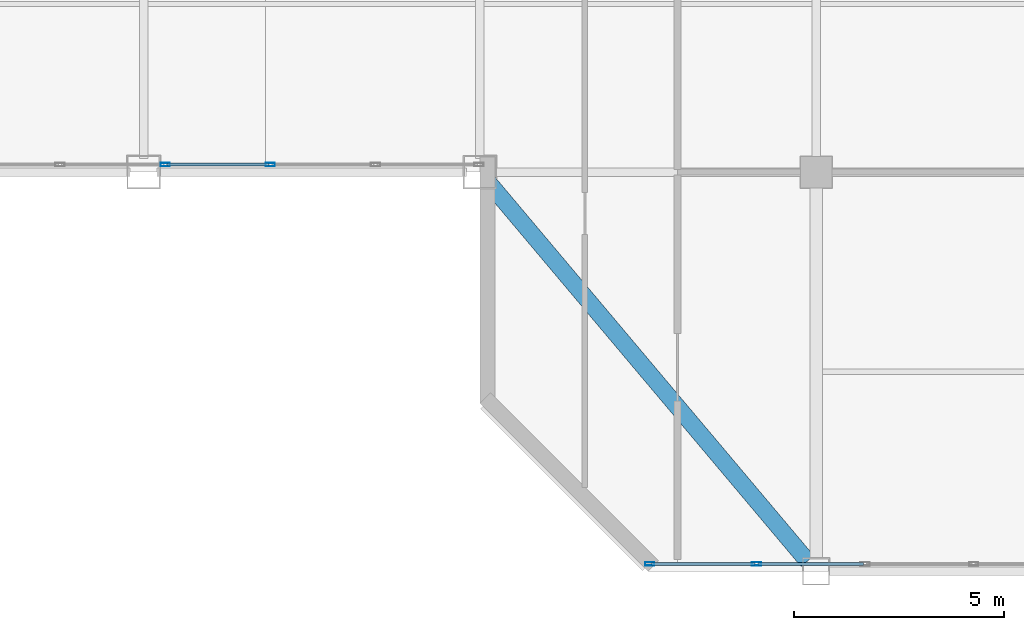
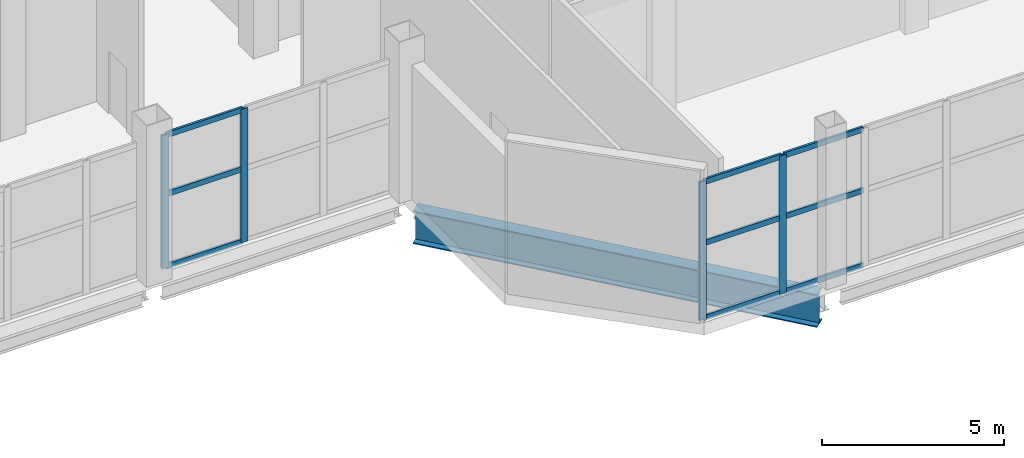
# One storey, part 3 of 17: 13 members, 1 beam, 2 elements without a shape of their own.
"""IFC4 building model written with IfcOpenShell, lengths in metres."""

from ifc_helpers import new_model, si_unit, direction, frame, origin, origin_2d, place, context, subcontext, project, spatial, hollow_rectangle, i_section, extrude, material, layer, layer_set, material_profile, profile_set, type_object, element, aggregate, save


model = new_model("IFC4")

# Units and contexts
model_context = context("Model", 3, precision=1e-05, world=origin(), true_north=direction((0.0, 1.0)))
body_context = subcontext(model_context, "Body", "Model", "MODEL_VIEW")
ifc_project = project(units=[si_unit("LENGTHUNIT", "METRE"), si_unit("AREAUNIT", "SQUARE_METRE"), si_unit("VOLUMEUNIT", "CUBIC_METRE"), si_unit("PLANEANGLEUNIT", "RADIAN"), si_unit("MASSUNIT", "GRAM", prefix="KILO")], contexts=[model_context])

# Site, building, storey
site_placement = place(None, origin())
site = spatial("IfcSite", under=ifc_project, at=site_placement, CompositionType="ELEMENT")
building_placement = place(site_placement, origin())
building = spatial("IfcBuilding", under=site, at=building_placement, Name="Qianrong Seaharbour Tower", CompositionType="ELEMENT")
storey_placement = place(building_placement, frame((0.0, 0.0, 373.0)))
storey = spatial("IfcBuildingStorey", under=building, at=storey_placement, Name="L90", CompositionType="ELEMENT", Elevation=373.0)

# Beam
ifc_material_1 = material(Name="Structural steel SN490B", Category="steel")
ifc_material_profile_1 = material_profile(ifc_material_1, i_section(OverallWidth=0.39990234375, OverallDepth=1.10009765625, WebThickness=0.02001953125, FlangeThickness=0.035888671875, at=origin_2d()), Name="BH1100x400x20x36")
ifc_profile_set_1 = profile_set([ifc_material_profile_1], Name="Structural steel SN490B")
beam_type = type_object("IfcBeamType", Name="BM-TG-1100", PredefinedType="BEAM", material=ifc_profile_set_1)
beam_placement = place(storey_placement, frame((48.2939453125, 18.744873046875, -0.9599609375), z_axis=(-0.644151063101, 0.764898299061, 0.0), x_axis=(-0.764898299061, -0.644151063101, 0.0)))
element("IfcBeam", 1, at=beam_placement, inside=storey, type_object=beam_type, Name="L90 Chamfer Corner Spandrel Girder G6/GD", PredefinedType="BEAM", context=body_context, shape_type="SweptSolid", body=[
    extrude(i_section(OverallWidth=0.39990234375, OverallDepth=1.10009765625, WebThickness=0.02001953125, FlangeThickness=0.035888671875, at=origin_2d()), origin(), (0.0, 0.0, 1.0), 11.77978515625),
])

# Curtain wall, members
ifc_material_2 = material(Name="Anodised aluminium 6063-T6 and laminated low-e glass", Category="aluminium")
ifc_layer = layer(ifc_material_2, 0.239990234375)
ifc_layer_set = layer_set([ifc_layer], Name="Anodised aluminium 6063-T6 and laminated low-e glass")
curtain_wall_type = type_object("IfcCurtainWallType", Name="CW-SYS-6", PredefinedType="NOTDEFINED", material=ifc_layer_set)
curtain_wall_1_placement = place(storey_placement, origin())
curtain_wall_1 = element("IfcCurtainWall", 2, at=curtain_wall_1_placement, inside=storey, type_object=curtain_wall_type, Name="L90 TMD Exhibition Lantern Translucent Curtain Wall HARBOUR_RIBBON", PredefinedType="NOTDEFINED")
ifc_material_3 = material(Name="Extruded aluminium 6063-T6", Category="aluminium")
ifc_material_profile_2 = material_profile(ifc_material_3, hollow_rectangle(XDim=0.080078125, YDim=0.219970703125, WallThickness=0.0048828125, at=origin_2d()), Name="ALU-MUL-220x80x5")
ifc_profile_set_2 = profile_set([ifc_material_profile_2], Name="Extruded aluminium 6063-T6")
member_type_1 = type_object("IfcMemberType", Name="CW-MUL-220", PredefinedType="MULLION", material=ifc_profile_set_2)
member_1_placement = place(storey_placement, frame((35.514892578125, 28.179931640625, 0.0), z_axis=(0.0, 0.0, 1.0), x_axis=(0.0, -1.0, 0.0)))
member_1 = element("IfcMember", 3, at=member_1_placement, type_object=member_type_1, Name="CW-6 mullion 3", PredefinedType="MULLION", context=body_context, shape_type="SweptSolid", body=[
    extrude(hollow_rectangle(XDim=0.080078125, YDim=0.219970703125, WallThickness=0.0048828125, at=origin_2d()), origin(), (0.0, 0.0, 1.0), 4.469970703125),
])
member_2_placement = place(storey_placement, frame((33.012451171875, 28.179931640625, 0.0), z_axis=(0.0, 0.0, 1.0), x_axis=(0.0, -1.0, 0.0)))
member_2 = element("IfcMember", 4, at=member_2_placement, type_object=member_type_1, Name="CW-6 mullion 4", PredefinedType="MULLION", context=body_context, shape_type="SweptSolid", body=[
    extrude(hollow_rectangle(XDim=0.080078125, YDim=0.219970703125, WallThickness=0.0048828125, at=origin_2d()), origin(), (0.0, 0.0, 1.0), 4.469970703125),
])

curtain_wall_2_placement = place(storey_placement, origin())
curtain_wall_2 = element("IfcCurtainWall", 5, at=curtain_wall_2_placement, inside=storey, type_object=curtain_wall_type, Name="L90 TMD Exhibition Lantern Translucent Curtain Wall SOUTH_TIP", PredefinedType="NOTDEFINED")
member_3_placement = place(storey_placement, frame((47.083251953125, 18.679931640625, 0.0), z_axis=(0.0, 0.0, 1.0), x_axis=(0.0, -1.0, 0.0)))
member_3 = element("IfcMember", 6, at=member_3_placement, type_object=member_type_1, Name="CW-6 mullion 6", PredefinedType="MULLION", context=body_context, shape_type="SweptSolid", body=[
    extrude(hollow_rectangle(XDim=0.080078125, YDim=0.219970703125, WallThickness=0.0048828125, at=origin_2d()), origin(), (0.0, 0.0, 1.0), 4.6201171875),
])
member_4_placement = place(storey_placement, frame((44.5400390625, 18.679931640625, 0.0), z_axis=(0.0, 0.0, 1.0), x_axis=(0.0, -1.0, 0.0)))
member_4 = element("IfcMember", 7, at=member_4_placement, type_object=member_type_1, Name="CW-6 mullion 7", PredefinedType="MULLION", context=body_context, shape_type="SweptSolid", body=[
    extrude(hollow_rectangle(XDim=0.080078125, YDim=0.219970703125, WallThickness=0.0048828125, at=origin_2d()), origin(), (0.0, 0.0, 1.0), 4.6201171875),
])

# Member
ifc_material_profile_3 = material_profile(ifc_material_3, hollow_rectangle(XDim=0.070068359375, YDim=0.179931640625, WallThickness=0.00390625, at=origin_2d()), Name="ALU-TRN-180x70x4")
ifc_profile_set_3 = profile_set([ifc_material_profile_3], Name="Extruded aluminium 6063-T6")
member_type_2 = type_object("IfcMemberType", Name="CW-TRN-180", PredefinedType="USERDEFINED", material=ifc_profile_set_3)
member_5_placement = place(storey_placement, frame((35.47509765625, 28.179931640625, 0.034912109375), z_axis=(-1.0, 0.0, 0.0), x_axis=(0.0, -1.0, 0.0)))
member_5 = element("IfcMember", 8, at=member_5_placement, type_object=member_type_2, Name="CW-6 transom 3.1", ObjectType="TRANSOM", PredefinedType="USERDEFINED", context=body_context, shape_type="SweptSolid", body=[
    extrude(hollow_rectangle(XDim=0.070068359375, YDim=0.179931640625, WallThickness=0.00390625, at=origin_2d()), origin(), (0.0, 0.0, 1.0), 2.422607421875),
])

member_6_placement = place(storey_placement, frame((35.47509765625, 28.179931640625, 2.45849609375), z_axis=(-1.0, 0.0, 0.0), x_axis=(0.0, -1.0, 0.0)))
member_6 = element("IfcMember", 9, at=member_6_placement, type_object=member_type_2, Name="CW-6 transom 3.2", ObjectType="TRANSOM", PredefinedType="USERDEFINED", context=body_context, shape_type="SweptSolid", body=[
    extrude(hollow_rectangle(XDim=0.070068359375, YDim=0.179931640625, WallThickness=0.00390625, at=origin_2d()), origin(), (0.0, 0.0, 1.0), 2.422607421875),
])

member_7_placement = place(storey_placement, frame((35.47509765625, 28.179931640625, 4.43505859375), z_axis=(-1.0, 0.0, 0.0), x_axis=(0.0, -1.0, 0.0)))
member_7 = element("IfcMember", 10, at=member_7_placement, type_object=member_type_2, Name="CW-6 transom 3.3", ObjectType="TRANSOM", PredefinedType="USERDEFINED", context=body_context, shape_type="SweptSolid", body=[
    extrude(hollow_rectangle(XDim=0.070068359375, YDim=0.179931640625, WallThickness=0.00390625, at=origin_2d()), origin(), (0.0, 0.0, 1.0), 2.422607421875),
])

aggregate(curtain_wall_1, [member_1, member_2, member_5, member_6, member_7])

member_8_placement = place(storey_placement, frame((49.626708984375, 18.679931640625, 0.034912109375), z_axis=(-1.0, 0.0, 0.0), x_axis=(0.0, -1.0, 0.0)))
member_8 = element("IfcMember", 11, at=member_8_placement, type_object=member_type_2, Name="CW-6 transom 5.1", ObjectType="TRANSOM", PredefinedType="USERDEFINED", context=body_context, shape_type="SweptSolid", body=[
    extrude(hollow_rectangle(XDim=0.070068359375, YDim=0.179931640625, WallThickness=0.00390625, at=origin_2d()), origin(), (0.0, 0.0, 1.0), 2.50341796875),
])

member_9_placement = place(storey_placement, frame((49.626708984375, 18.679931640625, 2.541015625), z_axis=(-1.0, 0.0, 0.0), x_axis=(0.0, -1.0, 0.0)))
member_9 = element("IfcMember", 12, at=member_9_placement, type_object=member_type_2, Name="CW-6 transom 5.2", ObjectType="TRANSOM", PredefinedType="USERDEFINED", context=body_context, shape_type="SweptSolid", body=[
    extrude(hollow_rectangle(XDim=0.070068359375, YDim=0.179931640625, WallThickness=0.00390625, at=origin_2d()), origin(), (0.0, 0.0, 1.0), 2.50341796875),
])

member_10_placement = place(storey_placement, frame((49.626708984375, 18.679931640625, 4.5849609375), z_axis=(-1.0, 0.0, 0.0), x_axis=(0.0, -1.0, 0.0)))
member_10 = element("IfcMember", 13, at=member_10_placement, type_object=member_type_2, Name="CW-6 transom 5.3", ObjectType="TRANSOM", PredefinedType="USERDEFINED", context=body_context, shape_type="SweptSolid", body=[
    extrude(hollow_rectangle(XDim=0.070068359375, YDim=0.179931640625, WallThickness=0.00390625, at=origin_2d()), origin(), (0.0, 0.0, 1.0), 2.50341796875),
])

member_11_placement = place(storey_placement, frame((47.043212890625, 18.679931640625, 0.034912109375), z_axis=(-1.0, 0.0, 0.0), x_axis=(0.0, -1.0, 0.0)))
member_11 = element("IfcMember", 14, at=member_11_placement, type_object=member_type_2, Name="CW-6 transom 6.1", ObjectType="TRANSOM", PredefinedType="USERDEFINED", context=body_context, shape_type="SweptSolid", body=[
    extrude(hollow_rectangle(XDim=0.070068359375, YDim=0.179931640625, WallThickness=0.00390625, at=origin_2d()), origin(), (0.0, 0.0, 1.0), 2.463134765625),
])

member_12_placement = place(storey_placement, frame((47.043212890625, 18.679931640625, 2.541015625), z_axis=(-1.0, 0.0, 0.0), x_axis=(0.0, -1.0, 0.0)))
member_12 = element("IfcMember", 15, at=member_12_placement, type_object=member_type_2, Name="CW-6 transom 6.2", ObjectType="TRANSOM", PredefinedType="USERDEFINED", context=body_context, shape_type="SweptSolid", body=[
    extrude(hollow_rectangle(XDim=0.070068359375, YDim=0.179931640625, WallThickness=0.00390625, at=origin_2d()), origin(), (0.0, 0.0, 1.0), 2.463134765625),
])

member_13_placement = place(storey_placement, frame((47.043212890625, 18.679931640625, 4.5849609375), z_axis=(-1.0, 0.0, 0.0), x_axis=(0.0, -1.0, 0.0)))
member_13 = element("IfcMember", 16, at=member_13_placement, type_object=member_type_2, Name="CW-6 transom 6.3", ObjectType="TRANSOM", PredefinedType="USERDEFINED", context=body_context, shape_type="SweptSolid", body=[
    extrude(hollow_rectangle(XDim=0.070068359375, YDim=0.179931640625, WallThickness=0.00390625, at=origin_2d()), origin(), (0.0, 0.0, 1.0), 2.463134765625),
])

aggregate(curtain_wall_2, [member_3, member_4, member_8, member_9, member_10, member_11, member_12, member_13])

save(model, "model.ifc")
